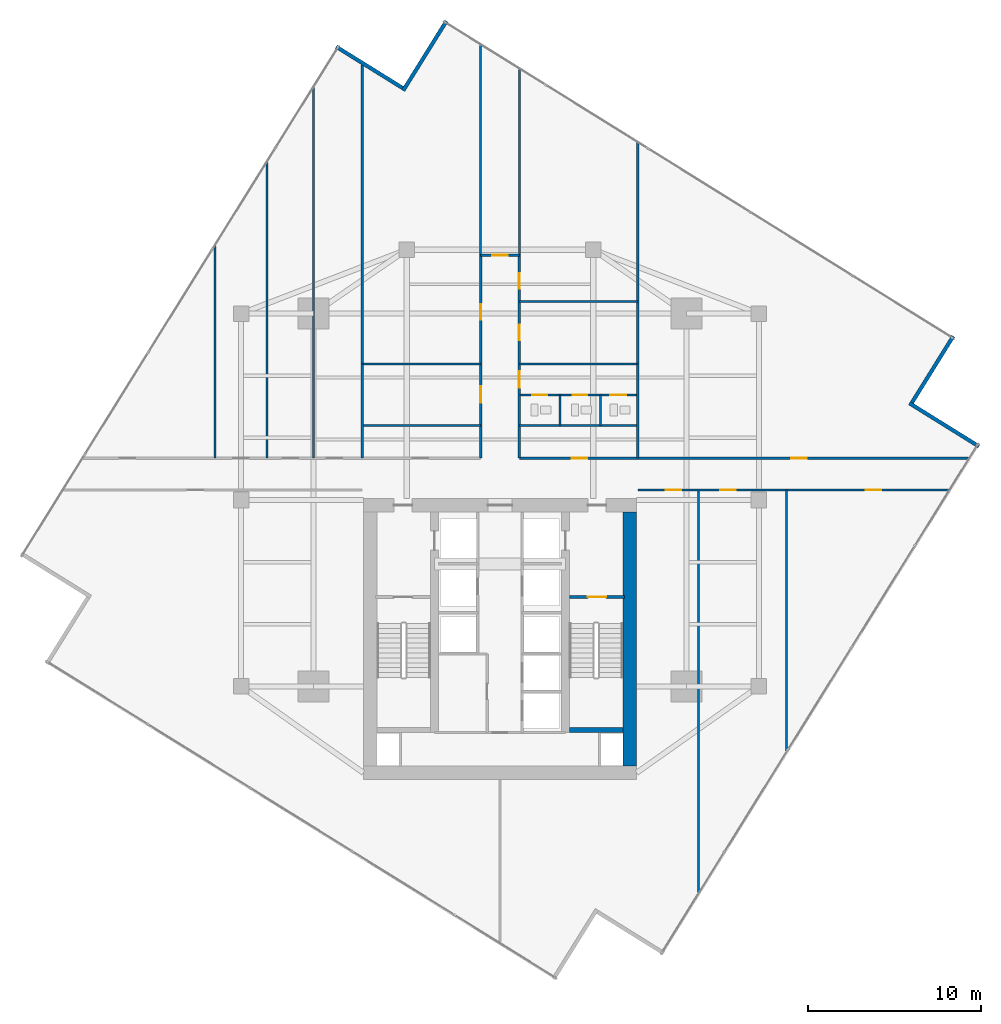
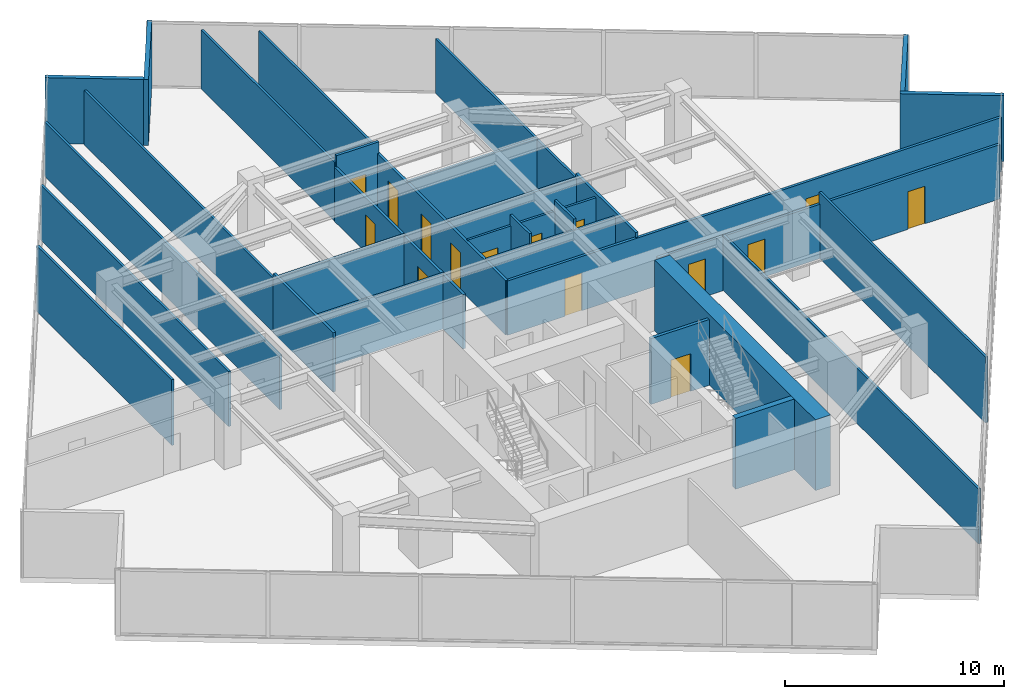
# One storey, part 22 of 25: 31 walls, 15 doors, 15 openings.
"""IFC4 building model written with IfcOpenShell, lengths in metres."""

from ifc_helpers import new_model, si_unit, direction, frame, frame_2d, origin, place, context, subcontext, project, spatial, rectangle, extrude, material, layer, layer_set, type_object, element, fill, save


model = new_model("IFC4")

# Units and contexts
model_context = context("Model", 3, precision=1e-05, world=origin(), true_north=direction((0.0, 1.0)))
body_context = subcontext(model_context, "Body", "Model", "MODEL_VIEW")
ifc_project = project(units=[si_unit("LENGTHUNIT", "METRE"), si_unit("AREAUNIT", "SQUARE_METRE"), si_unit("VOLUMEUNIT", "CUBIC_METRE"), si_unit("PLANEANGLEUNIT", "RADIAN"), si_unit("MASSUNIT", "GRAM", prefix="KILO")], contexts=[model_context])

# Site, building, storey
site_placement = place(None, origin())
site = spatial("IfcSite", under=ifc_project, at=site_placement, CompositionType="ELEMENT")
building_placement = place(site_placement, origin())
building = spatial("IfcBuilding", under=site, at=building_placement, Name="Krantzveldt Concourse Tower", CompositionType="ELEMENT")
storey_placement = place(building_placement, frame((0.0, 0.0, 177.800048828125)))
storey = spatial("IfcBuildingStorey", under=building, at=storey_placement, Name="L43", CompositionType="ELEMENT", Elevation=177.800048828125)

# Walls
ifc_material_1 = material(Name="Anodised aluminium 6063-T6", Category="aluminium")
ifc_layer_1 = layer(ifc_material_1, 0.219970703125, Name="Anodised aluminium 6063-T6", Category="aluminium")
ifc_layer_set_1 = layer_set([ifc_layer_1], Name="Anodised aluminium 6063-T6 (WL-EXT-NOTCH220)")
wall_type_1 = type_object("IfcWallType", Name="WL-EXT-NOTCH220", PredefinedType="ELEMENTEDWALL", material=ifc_layer_set_1)
wall_1_placement = place(storey_placement, frame((30.354248046875, 50.571044921875, 0.0), z_axis=(0.0, 0.0, 1.0), x_axis=(-0.849196398465, 0.528077150456, 0.0)))
element("IfcWall", 1, at=wall_1_placement, inside=storey, type_object=wall_type_1, Name="EW-L43-NCH00", PredefinedType="ELEMENTEDWALL", context=body_context, shape_type="SweptSolid", body=[
    extrude(rectangle(XDim=4.525146484375, YDim=0.219970703125, at=frame_2d((2.2626953125, 0.0))), origin(), (0.0, 0.0, 1.0), 3.669921875),
])
wall_2_placement = place(storey_placement, frame((63.7490234375, 29.804931640625, 0.0), z_axis=(0.0, 0.0, 1.0), x_axis=(-0.84921299194, 0.528050465694, 0.0)))
element("IfcWall", 2, at=wall_2_placement, inside=storey, type_object=wall_type_1, Name="EW-L43-NCH08", PredefinedType="ELEMENTEDWALL", context=body_context, shape_type="SweptSolid", body=[
    extrude(rectangle(XDim=4.7451171875, YDim=0.219970703125, at=frame_2d((2.37255859375, 0.0))), origin(), (0.0, 0.0, 1.0), 3.669921875),
])
wall_3_placement = place(storey_placement, frame((59.87109375, 32.345947265625, 0.0), z_axis=(0.0, 0.0, 1.0), x_axis=(0.528062437074, 0.849205547881, 0.0)))
element("IfcWall", 3, at=wall_3_placement, inside=storey, type_object=wall_type_1, Name="EW-L43-NCH09", PredefinedType="ELEMENTEDWALL", context=body_context, shape_type="SweptSolid", body=[
    extrude(rectangle(XDim=4.52490234375, YDim=0.219970703125, at=frame_2d((2.262451171875, 0.0))), origin(), (0.0, 0.0, 1.0), 3.669921875),
])
wall_4_placement = place(storey_placement, frame((32.895263671875, 54.448974609375, 0.0), z_axis=(0.0, 0.0, 1.0), x_axis=(-0.528110642948, -0.849175570071, 0.0)))
element("IfcWall", 4, at=wall_4_placement, inside=storey, type_object=wall_type_1, Name="EW-L43-NCH11", PredefinedType="ELEMENTEDWALL", context=body_context, shape_type="SweptSolid", body=[
    extrude(rectangle(XDim=4.744873046875, YDim=0.219970703125, at=frame_2d((2.37255859375, 0.0))), origin(), (0.0, 0.0, 1.0), 3.669921875),
])
ifc_material_2 = material(Name="Fire-rated gypsum plasterboard on steel stud", Category="steel")
ifc_layer_2 = layer(ifc_material_2, 0.1201171875, Name="Fire-rated gypsum plasterboard on steel stud", Category="steel")
ifc_layer_set_2 = layer_set([ifc_layer_2], Name="Fire-rated gypsum plasterboard on steel stud (WL-PART-120)")
wall_type_2 = type_object("IfcWallType", Name="WL-PART-120", PredefinedType="PARTITIONING", material=ifc_layer_set_2)
for number, where, z_axis, x_axis, name in (
    (5, (28.02001953125, 31.02001953125, 0.0), (0.0, 0.0, 1.0), (1.0, 0.0, 0.0), "WP-L43-ISML"),
    (6, (37.1201171875, 31.02001953125, 0.0), (0.0, 0.0, 1.0), (1.0, 0.0, 0.0), "WP-L43-ISMR"),
):
    element("IfcWall", number, at=place(storey_placement, frame(where, z_axis=z_axis, x_axis=x_axis)), inside=storey, type_object=wall_type_2, Name=name, PredefinedType="PARTITIONING", context=body_context, shape_type="SweptSolid", body=[
        extrude(rectangle(XDim=6.85986328125, YDim=0.1201171875, at=frame_2d((3.429931640625, 0.0))), origin(), (0.0, 0.0, 1.0), 3.079833984375),
    ])

# Wall, openings, doors
wall_5_placement = place(storey_placement, frame((37.14990234375, 32.780029296875, 0.0), z_axis=(0.0, 0.0, 1.0), x_axis=(1.0, 0.0, 0.0)))
wall_5 = element("IfcWall", 7, at=wall_5_placement, inside=storey, type_object=wall_type_2, Name="WP-L43-WCHDR", PredefinedType="PARTITIONING", context=body_context, shape_type="SweptSolid", body=[
    extrude(rectangle(XDim=6.800048828125, YDim=0.1201171875, at=frame_2d((3.39990234375, 0.0))), origin(), (0.0, 0.0, 1.0), 3.079833984375),
])
opening_1_placement = place(wall_5_placement, frame((0.72509765625, 0.0, 0.0)))
opening_1 = element("IfcOpeningElement", 8, at=opening_1_placement, cuts=wall_5, Name="Opening D-IN085", PredefinedType="OPENING", context=body_context, shape_type="SweptSolid", body=[
    extrude(rectangle(XDim=0.85009765625, YDim=2.10009765625, at=frame_2d((0.425048828125, 1.050048828125))), frame((0.0, 0.070068359375, 0.0), z_axis=(0.0, -1.0, 0.0), x_axis=(1.0, 0.0, 0.0)), (0.0, 0.0, 1.0), 0.14013671875),
])
opening_2_placement = place(wall_5_placement, frame((3.06494140625, 0.0, 0.0)))
opening_2 = element("IfcOpeningElement", 9, at=opening_2_placement, cuts=wall_5, Name="Opening D-IN085", PredefinedType="OPENING", context=body_context, shape_type="SweptSolid", body=[
    extrude(rectangle(XDim=0.85009765625, YDim=2.10009765625, at=frame_2d((0.425048828125, 1.050048828125))), frame((0.0, 0.070068359375, 0.0), z_axis=(0.0, -1.0, 0.0), x_axis=(1.0, 0.0, 0.0)), (0.0, 0.0, 1.0), 0.14013671875),
])
opening_3_placement = place(wall_5_placement, frame((5.25, 0.0, 0.0)))
opening_3 = element("IfcOpeningElement", 10, at=opening_3_placement, cuts=wall_5, Name="Opening D-IN090", PredefinedType="OPENING", context=body_context, shape_type="SweptSolid", body=[
    extrude(rectangle(XDim=0.89990234375, YDim=2.10009765625, at=frame_2d((0.449951171875, 1.050048828125))), frame((0.0, 0.070068359375, 0.0), z_axis=(0.0, -1.0, 0.0), x_axis=(1.0, 0.0, 0.0)), (0.0, 0.0, 1.0), 0.14013671875),
])
ifc_material_3 = material(Name="Hardwood timber", Category="wood")
door_type_1 = type_object("IfcDoorType", Name="DR-INT-850", OperationType="SINGLE_SWING_LEFT", PredefinedType="DOOR", material=ifc_material_3)
door_1_placement = place(opening_1_placement, origin())
door_1 = element("IfcDoor", 11, at=door_1_placement, inside=storey, type_object=door_type_1, Name="DR-L43-WCM", OperationType="SINGLE_SWING_LEFT", OverallHeight=2.10009765625, OverallWidth=0.85009765625, PredefinedType="DOOR", context=body_context, shape_type="SweptSolid", body=[
    extrude(rectangle(XDim=0.85009765625, YDim=2.10009765625, at=frame_2d((0.425048828125, 1.050048828125))), frame((0.0, 0.02490234375, 0.0), z_axis=(0.0, -1.0, 0.0), x_axis=(1.0, 0.0, 0.0)), (0.0, 0.0, 1.0), 0.050048828125),
])
fill(opening_1, door_1)
door_2_placement = place(opening_2_placement, origin())
door_2 = element("IfcDoor", 12, at=door_2_placement, inside=storey, type_object=door_type_1, Name="DR-L43-WCF", OperationType="SINGLE_SWING_RIGHT", OverallHeight=2.10009765625, OverallWidth=0.85009765625, PredefinedType="DOOR", context=body_context, shape_type="SweptSolid", body=[
    extrude(rectangle(XDim=0.85009765625, YDim=2.10009765625, at=frame_2d((0.425048828125, 1.050048828125))), frame((0.0, 0.02490234375, 0.0), z_axis=(0.0, -1.0, 0.0), x_axis=(1.0, 0.0, 0.0)), (0.0, 0.0, 1.0), 0.050048828125),
])
fill(opening_2, door_2)
door_type_2 = type_object("IfcDoorType", Name="DR-INT-900", OperationType="SINGLE_SWING_LEFT", PredefinedType="DOOR", material=ifc_material_3)
door_3_placement = place(opening_3_placement, origin())
door_3 = element("IfcDoor", 13, at=door_3_placement, inside=storey, type_object=door_type_2, Name="DR-L43-WCA", OperationType="SINGLE_SWING_LEFT", OverallHeight=2.10009765625, OverallWidth=0.89990234375, PredefinedType="DOOR", context=body_context, shape_type="SweptSolid", body=[
    extrude(rectangle(XDim=0.89990234375, YDim=2.10009765625, at=frame_2d((0.449951171875, 1.050048828125))), frame((0.0, 0.02490234375, 0.0), z_axis=(0.0, -1.0, 0.0), x_axis=(1.0, 0.0, 0.0)), (0.0, 0.0, 1.0), 0.050048828125),
])
fill(opening_3, door_3)

# Walls
for number, where, z_axis, x_axis, name in (
    (14, (39.469970703125, 31.02001953125, 0.0), (0.0, 0.0, 1.0), (0.0, 1.0, 0.0), "WP-L43-WCD1"),
    (15, (41.81005859375, 31.02001953125, 0.0), (0.0, 0.0, 1.0), (0.0, 1.0, 0.0), "WP-L43-WCD2"),
):
    element("IfcWall", number, at=place(storey_placement, frame(where, z_axis=z_axis, x_axis=x_axis)), inside=storey, type_object=wall_type_2, Name=name, PredefinedType="PARTITIONING", context=body_context, shape_type="SweptSolid", body=[
        extrude(rectangle(XDim=1.760009765625, YDim=0.1201171875, at=frame_2d((0.8798828125, 0.0))), origin(), (0.0, 0.0, 1.0), 3.669921875),
    ])
wall_6_placement = place(storey_placement, frame((34.8798828125, 40.8798828125, 0.0), z_axis=(0.0, 0.0, 1.0), x_axis=(0.0, 1.0, 0.0)))
element("IfcWall", 16, at=wall_6_placement, inside=storey, type_object=wall_type_2, Name="WP-L43-NTL", PredefinedType="PARTITIONING", context=body_context, shape_type="SweptSolid", body=[
    extrude(rectangle(XDim=12.199462890625, YDim=0.1201171875, at=frame_2d((6.099609375, 0.0))), origin(), (0.0, 0.0, 1.0), 3.280029296875),
])
wall_7_placement = place(storey_placement, frame((37.1201171875, 40.8798828125, 0.0), z_axis=(0.0, 0.0, 1.0), x_axis=(0.0, 1.0, 0.0)))
element("IfcWall", 17, at=wall_7_placement, inside=storey, type_object=wall_type_2, Name="WP-L43-NTR", PredefinedType="PARTITIONING", context=body_context, shape_type="SweptSolid", body=[
    extrude(rectangle(XDim=10.806640625, YDim=0.1201171875, at=frame_2d((5.4033203125, 0.0))), origin(), (0.0, 0.0, 1.0), 3.280029296875),
])
wall_8_placement = place(storey_placement, frame((19.5, 29.1201171875, 0.0), z_axis=(0.0, 0.0, 1.0), x_axis=(0.0, 1.0, 0.0)))
element("IfcWall", 18, at=wall_8_placement, inside=storey, type_object=wall_type_2, Name="WP-L43-NWX1", PredefinedType="PARTITIONING", context=body_context, shape_type="SweptSolid", body=[
    extrude(rectangle(XDim=12.34716796875, YDim=0.1201171875, at=frame_2d((6.173583984375, 0.0))), origin(), (0.0, 0.0, 1.0), 3.669921875),
])
wall_9_placement = place(storey_placement, frame((22.5, 29.1201171875, 0.0), z_axis=(0.0, 0.0, 1.0), x_axis=(0.0, 1.0, 0.0)))
element("IfcWall", 19, at=wall_9_placement, inside=storey, type_object=wall_type_2, Name="WP-L43-NWX2", PredefinedType="PARTITIONING", context=body_context, shape_type="SweptSolid", body=[
    extrude(rectangle(XDim=17.171630859375, YDim=0.1201171875, at=frame_2d((8.5859375, 0.0))), origin(), (0.0, 0.0, 1.0), 3.079833984375),
])
wall_10_placement = place(storey_placement, frame((25.199951171875, 29.1201171875, 0.0), z_axis=(0.0, 0.0, 1.0), x_axis=(0.0, 1.0, 0.0)))
element("IfcWall", 20, at=wall_10_placement, inside=storey, type_object=wall_type_2, Name="WP-L43-NWX3", PredefinedType="PARTITIONING", context=body_context, shape_type="SweptSolid", body=[
    extrude(rectangle(XDim=21.513671875, YDim=0.1201171875, at=frame_2d((10.7568359375, 0.0))), origin(), (0.0, 0.0, 1.0), 3.030029296875),
])
wall_11_placement = place(storey_placement, frame((28.02001953125, 34.580078125, 0.0), z_axis=(0.0, 0.0, 1.0), x_axis=(0.0, 1.0, 0.0)))
element("IfcWall", 21, at=wall_11_placement, inside=storey, type_object=wall_type_2, Name="WP-L43-ISWL2", PredefinedType="PARTITIONING", context=body_context, shape_type="SweptSolid", body=[
    extrude(rectangle(XDim=17.30712890625, YDim=0.1201171875, at=frame_2d((8.653564453125, 0.0))), origin(), (0.0, 0.0, 1.0), 3.030029296875),
])
wall_12_placement = place(storey_placement, frame((43.97998046875, 34.580078125, 0.0), z_axis=(0.0, 0.0, 1.0), x_axis=(0.0, 1.0, 0.0)))
element("IfcWall", 22, at=wall_12_placement, inside=storey, type_object=wall_type_2, Name="WP-L43-ISER2", PredefinedType="PARTITIONING", context=body_context, shape_type="SweptSolid", body=[
    extrude(rectangle(XDim=12.840576171875, YDim=0.1201171875, at=frame_2d((6.42041015625, 0.0))), origin(), (0.0, 0.0, 1.0), 3.030029296875),
])
wall_13_placement = place(storey_placement, frame((37.1201171875, 38.199951171875, 0.0), z_axis=(0.0, 0.0, 1.0), x_axis=(1.0, 0.0, 0.0)))
element("IfcWall", 23, at=wall_13_placement, inside=storey, type_object=wall_type_2, Name="WP-L43-NEIY", PredefinedType="PARTITIONING", context=body_context, shape_type="SweptSolid", body=[
    extrude(rectangle(XDim=6.85986328125, YDim=0.1201171875, at=frame_2d((3.429931640625, 0.0))), origin(), (0.0, 0.0, 1.0), 3.079833984375),
])
wall_14_placement = place(storey_placement, frame((47.5, 3.89208984375, 0.0), z_axis=(0.0, 0.0, 1.0), x_axis=(0.0, 1.0, 0.0)))
element("IfcWall", 24, at=wall_14_placement, inside=storey, type_object=wall_type_2, Name="WP-L43-SEX1", PredefinedType="PARTITIONING", context=body_context, shape_type="SweptSolid", body=[
    extrude(rectangle(XDim=23.387939453125, YDim=0.1201171875, at=frame_2d((11.69384765625, 0.0))), origin(), (0.0, 0.0, 1.0), 3.079833984375),
])
wall_15_placement = place(storey_placement, frame((52.60009765625, 12.093505859375, 0.0), z_axis=(0.0, 0.0, 1.0), x_axis=(0.0, 1.0, 0.0)))
element("IfcWall", 25, at=wall_15_placement, inside=storey, type_object=wall_type_2, Name="WP-L43-SEX2", PredefinedType="PARTITIONING", context=body_context, shape_type="SweptSolid", body=[
    extrude(rectangle(XDim=15.1865234375, YDim=0.1201171875, at=frame_2d((7.59326171875, 0.0))), origin(), (0.0, 0.0, 1.0), 3.669921875),
])

# Wall, openings, doors
ifc_layer_3 = layer(ifc_material_2, 0.139892578125, Name="Fire-rated gypsum plasterboard on steel stud", Category="steel")
ifc_layer_set_3 = layer_set([ifc_layer_3], Name="Fire-rated gypsum plasterboard on steel stud (WL-PART-140)")
wall_type_3 = type_object("IfcWallType", Name="WL-PART-140", PredefinedType="PARTITIONING", material=ifc_layer_set_3)
wall_16_placement = place(storey_placement, frame((34.8798828125, 29.1201171875, 0.0), z_axis=(0.0, 0.0, 1.0), x_axis=(0.0, 1.0, 0.0)))
wall_16 = element("IfcWall", 26, at=wall_16_placement, inside=storey, type_object=wall_type_3, Name="WP-L43-SPWL", PredefinedType="PARTITIONING", context=body_context, shape_type="SweptSolid", body=[
    extrude(rectangle(XDim=11.759765625, YDim=0.139892578125, at=frame_2d((5.8798828125, 0.0))), origin(), (0.0, 0.0, 1.0), 3.030029296875),
])
opening_4_placement = place(wall_16_placement, frame((3.205078125, 0.0, 0.0)))
opening_4 = element("IfcOpeningElement", 27, at=opening_4_placement, cuts=wall_16, Name="Opening D-IN095", PredefinedType="OPENING", context=body_context, shape_type="SweptSolid", body=[
    extrude(rectangle(XDim=0.949951171875, YDim=2.10009765625, at=frame_2d((0.47509765625, 1.050048828125))), frame((0.0, 0.080078125, 0.0), z_axis=(0.0, -1.0, 0.0), x_axis=(1.0, 0.0, 0.0)), (0.0, 0.0, 1.0), 0.159912109375),
])
opening_5_placement = place(wall_16_placement, frame((8.02001953125, 0.0, 0.0)))
opening_5 = element("IfcOpeningElement", 28, at=opening_5_placement, cuts=wall_16, Name="Opening D-IN090", PredefinedType="OPENING", context=body_context, shape_type="SweptSolid", body=[
    extrude(rectangle(XDim=0.89990234375, YDim=2.10009765625, at=frame_2d((0.449951171875, 1.050048828125))), frame((0.0, 0.080078125, 0.0), z_axis=(0.0, -1.0, 0.0), x_axis=(1.0, 0.0, 0.0)), (0.0, 0.0, 1.0), 0.159912109375),
])
door_4_placement = place(opening_5_placement, origin())
door_4 = element("IfcDoor", 29, at=door_4_placement, inside=storey, type_object=door_type_2, Name="DR-L43-NWI1", OperationType="SINGLE_SWING_LEFT", OverallHeight=2.10009765625, OverallWidth=0.89990234375, PredefinedType="DOOR", context=body_context, shape_type="SweptSolid", body=[
    extrude(rectangle(XDim=0.89990234375, YDim=2.10009765625, at=frame_2d((0.449951171875, 1.050048828125))), frame((0.0, 0.02490234375, 0.0), z_axis=(0.0, -1.0, 0.0), x_axis=(1.0, 0.0, 0.0)), (0.0, 0.0, 1.0), 0.050048828125),
])
fill(opening_5, door_4)
door_type_3 = type_object("IfcDoorType", Name="DR-INT-950", OperationType="SINGLE_SWING_LEFT", PredefinedType="DOOR", material=ifc_material_3)
door_5_placement = place(opening_4_placement, origin())
door_5 = element("IfcDoor", 30, at=door_5_placement, inside=storey, type_object=door_type_3, Name="DR-L43-PNT", OperationType="SINGLE_SWING_RIGHT", OverallHeight=2.10009765625, OverallWidth=0.949951171875, PredefinedType="DOOR", context=body_context, shape_type="SweptSolid", body=[
    extrude(rectangle(XDim=0.949951171875, YDim=2.10009765625, at=frame_2d((0.47509765625, 1.050048828125))), frame((0.0, 0.02490234375, 0.0), z_axis=(0.0, -1.0, 0.0), x_axis=(1.0, 0.0, 0.0)), (0.0, 0.0, 1.0), 0.050048828125),
])
fill(opening_4, door_5)

wall_17_placement = place(storey_placement, frame((37.1201171875, 29.1201171875, 0.0), z_axis=(0.0, 0.0, 1.0), x_axis=(0.0, 1.0, 0.0)))
wall_17 = element("IfcWall", 31, at=wall_17_placement, inside=storey, type_object=wall_type_3, Name="WP-L43-SPER", PredefinedType="PARTITIONING", context=body_context, shape_type="SweptSolid", body=[
    extrude(rectangle(XDim=11.759765625, YDim=0.139892578125, at=frame_2d((5.8798828125, 0.0))), origin(), (0.0, 0.0, 1.0), 3.030029296875),
])
opening_6_placement = place(wall_17_placement, frame((4.0849609375, 0.0, 0.0)))
opening_6 = element("IfcOpeningElement", 32, at=opening_6_placement, cuts=wall_17, Name="Opening D-IN095", PredefinedType="OPENING", context=body_context, shape_type="SweptSolid", body=[
    extrude(rectangle(XDim=0.949951171875, YDim=2.10009765625, at=frame_2d((0.47509765625, 1.050048828125))), frame((0.0, 0.080078125, 0.0), z_axis=(0.0, -1.0, 0.0), x_axis=(1.0, 0.0, 0.0)), (0.0, 0.0, 1.0), 0.159912109375),
])
opening_7_placement = place(wall_17_placement, frame((6.820068359375, 0.0, 0.0)))
opening_7 = element("IfcOpeningElement", 33, at=opening_7_placement, cuts=wall_17, Name="Opening D-IN090", PredefinedType="OPENING", context=body_context, shape_type="SweptSolid", body=[
    extrude(rectangle(XDim=0.89990234375, YDim=2.10009765625, at=frame_2d((0.449951171875, 1.050048828125))), frame((0.0, 0.080078125, 0.0), z_axis=(0.0, -1.0, 0.0), x_axis=(1.0, 0.0, 0.0)), (0.0, 0.0, 1.0), 0.159912109375),
])
opening_8_placement = place(wall_17_placement, frame((9.830078125, 0.0, 0.0)))
opening_8 = element("IfcOpeningElement", 34, at=opening_8_placement, cuts=wall_17, Name="Opening D-IN090", PredefinedType="OPENING", context=body_context, shape_type="SweptSolid", body=[
    extrude(rectangle(XDim=0.89990234375, YDim=2.10009765625, at=frame_2d((0.449951171875, 1.050048828125))), frame((0.0, 0.080078125, 0.0), z_axis=(0.0, -1.0, 0.0), x_axis=(1.0, 0.0, 0.0)), (0.0, 0.0, 1.0), 0.159912109375),
])
door_6_placement = place(opening_7_placement, origin())
door_6 = element("IfcDoor", 35, at=door_6_placement, inside=storey, type_object=door_type_2, Name="DR-L43-NEI1", OperationType="SINGLE_SWING_LEFT", OverallHeight=2.10009765625, OverallWidth=0.89990234375, PredefinedType="DOOR", context=body_context, shape_type="SweptSolid", body=[
    extrude(rectangle(XDim=0.89990234375, YDim=2.10009765625, at=frame_2d((0.449951171875, 1.050048828125))), frame((0.0, 0.02490234375, 0.0), z_axis=(0.0, -1.0, 0.0), x_axis=(1.0, 0.0, 0.0)), (0.0, 0.0, 1.0), 0.050048828125),
])
fill(opening_7, door_6)
door_7_placement = place(opening_8_placement, origin())
door_7 = element("IfcDoor", 36, at=door_7_placement, inside=storey, type_object=door_type_2, Name="DR-L43-NEI2", OperationType="SINGLE_SWING_LEFT", OverallHeight=2.10009765625, OverallWidth=0.89990234375, PredefinedType="DOOR", context=body_context, shape_type="SweptSolid", body=[
    extrude(rectangle(XDim=0.89990234375, YDim=2.10009765625, at=frame_2d((0.449951171875, 1.050048828125))), frame((0.0, 0.02490234375, 0.0), z_axis=(0.0, -1.0, 0.0), x_axis=(1.0, 0.0, 0.0)), (0.0, 0.0, 1.0), 0.050048828125),
])
fill(opening_8, door_7)
door_8_placement = place(opening_6_placement, origin())
door_8 = element("IfcDoor", 37, at=door_8_placement, inside=storey, type_object=door_type_3, Name="DR-L43-WCLB", OperationType="SINGLE_SWING_LEFT", OverallHeight=2.10009765625, OverallWidth=0.949951171875, PredefinedType="DOOR", context=body_context, shape_type="SweptSolid", body=[
    extrude(rectangle(XDim=0.949951171875, YDim=2.10009765625, at=frame_2d((0.47509765625, 1.050048828125))), frame((0.0, 0.02490234375, 0.0), z_axis=(0.0, -1.0, 0.0), x_axis=(1.0, 0.0, 0.0)), (0.0, 0.0, 1.0), 0.050048828125),
])
fill(opening_6, door_8)

# Wall, opening, door
wall_18_placement = place(storey_placement, frame((34.8798828125, 40.8798828125, 0.0), z_axis=(0.0, 0.0, 1.0), x_axis=(1.0, 0.0, 0.0)))
wall_18 = element("IfcWall", 38, at=wall_18_placement, inside=storey, type_object=wall_type_3, Name="WP-L43-SPTOP", PredefinedType="PARTITIONING", context=body_context, shape_type="SweptSolid", body=[
    extrude(rectangle(XDim=2.240234375, YDim=0.139892578125, at=frame_2d((1.1201171875, 0.0))), origin(), (0.0, 0.0, 1.0), 3.669921875),
])
opening_9_placement = place(wall_18_placement, frame((0.669921875, 0.0, 0.0)))
opening_9 = element("IfcOpeningElement", 39, at=opening_9_placement, cuts=wall_18, Name="Opening D-IN090", PredefinedType="OPENING", context=body_context, shape_type="SweptSolid", body=[
    extrude(rectangle(XDim=0.89990234375, YDim=2.10009765625, at=frame_2d((0.449951171875, 1.050048828125))), frame((0.0, 0.080078125, 0.0), z_axis=(0.0, -1.0, 0.0), x_axis=(1.0, 0.0, 0.0)), (0.0, 0.0, 1.0), 0.159912109375),
])
door_9_placement = place(opening_9_placement, origin())
door_9 = element("IfcDoor", 40, at=door_9_placement, inside=storey, type_object=door_type_2, Name="DR-L43-NTOP", OperationType="SINGLE_SWING_LEFT", OverallHeight=2.10009765625, OverallWidth=0.89990234375, PredefinedType="DOOR", context=body_context, shape_type="SweptSolid", body=[
    extrude(rectangle(XDim=0.89990234375, YDim=2.10009765625, at=frame_2d((0.449951171875, 1.050048828125))), frame((0.0, 0.02490234375, 0.0), z_axis=(0.0, -1.0, 0.0), x_axis=(1.0, 0.0, 0.0)), (0.0, 0.0, 1.0), 0.050048828125),
])
fill(opening_9, door_9)

# Wall, openings, doors
wall_19_placement = place(storey_placement, frame((37.1201171875, 29.1201171875, 0.0), z_axis=(0.0, 0.0, 1.0), x_axis=(1.0, 0.0, 0.0)))
wall_19 = element("IfcWall", 41, at=wall_19_placement, inside=storey, type_object=wall_type_3, Name="WP-L43-EWNR", PredefinedType="PARTITIONING", context=body_context, shape_type="SweptSolid", body=[
    extrude(rectangle(XDim=26.067626953125, YDim=0.139892578125, at=frame_2d((13.03369140625, 0.0))), origin(), (0.0, 0.0, 1.0), 3.030029296875),
])
opening_10_placement = place(wall_19_placement, frame((3.030029296875, 0.0, 0.0)))
opening_10 = element("IfcOpeningElement", 42, at=opening_10_placement, cuts=wall_19, Name="Opening D-IN090", PredefinedType="OPENING", context=body_context, shape_type="SweptSolid", body=[
    extrude(rectangle(XDim=0.89990234375, YDim=2.10009765625, at=frame_2d((0.449951171875, 1.050048828125))), frame((0.0, 0.080078125, 0.0), z_axis=(0.0, -1.0, 0.0), x_axis=(1.0, 0.0, 0.0)), (0.0, 0.0, 1.0), 0.159912109375),
])
opening_11_placement = place(wall_19_placement, frame((15.760986328125, 0.0, 0.0)))
opening_11 = element("IfcOpeningElement", 43, at=opening_11_placement, cuts=wall_19, Name="Opening D-IN090", PredefinedType="OPENING", context=body_context, shape_type="SweptSolid", body=[
    extrude(rectangle(XDim=0.89990234375, YDim=2.10009765625, at=frame_2d((0.449951171875, 1.050048828125))), frame((0.0, 0.080078125, 0.0), z_axis=(0.0, -1.0, 0.0), x_axis=(1.0, 0.0, 0.0)), (0.0, 0.0, 1.0), 0.159912109375),
])
door_10_placement = place(opening_10_placement, origin())
door_10 = element("IfcDoor", 44, at=door_10_placement, inside=storey, type_object=door_type_2, Name="DR-L43-ALCR", OperationType="SINGLE_SWING_RIGHT", OverallHeight=2.10009765625, OverallWidth=0.89990234375, PredefinedType="DOOR", context=body_context, shape_type="SweptSolid", body=[
    extrude(rectangle(XDim=0.89990234375, YDim=2.10009765625, at=frame_2d((0.449951171875, 1.050048828125))), frame((0.0, 0.02490234375, 0.0), z_axis=(0.0, -1.0, 0.0), x_axis=(1.0, 0.0, 0.0)), (0.0, 0.0, 1.0), 0.050048828125),
])
fill(opening_10, door_10)
door_11_placement = place(opening_11_placement, origin())
door_11 = element("IfcDoor", 45, at=door_11_placement, inside=storey, type_object=door_type_2, Name="DR-L43-NEX1", OperationType="SINGLE_SWING_RIGHT", OverallHeight=2.10009765625, OverallWidth=0.89990234375, PredefinedType="DOOR", context=body_context, shape_type="SweptSolid", body=[
    extrude(rectangle(XDim=0.89990234375, YDim=2.10009765625, at=frame_2d((0.449951171875, 1.050048828125))), frame((0.0, 0.02490234375, 0.0), z_axis=(0.0, -1.0, 0.0), x_axis=(1.0, 0.0, 0.0)), (0.0, 0.0, 1.0), 0.050048828125),
])
fill(opening_11, door_11)

wall_20_placement = place(storey_placement, frame((44.0, 27.280029296875, 0.0), z_axis=(0.0, 0.0, 1.0), x_axis=(1.0, 0.0, 0.0)))
wall_20 = element("IfcWall", 46, at=wall_20_placement, inside=storey, type_object=wall_type_3, Name="WP-L43-EWSR", PredefinedType="PARTITIONING", context=body_context, shape_type="SweptSolid", body=[
    extrude(rectangle(XDim=18.043701171875, YDim=0.139892578125, at=frame_2d((9.02197265625, 0.0))), origin(), (0.0, 0.0, 1.0), 3.030029296875),
])
opening_12_placement = place(wall_20_placement, frame((1.60009765625, 0.0, 0.0)))
opening_12 = element("IfcOpeningElement", 47, at=opening_12_placement, cuts=wall_20, Name="Opening D-IN090", PredefinedType="OPENING", context=body_context, shape_type="SweptSolid", body=[
    extrude(rectangle(XDim=0.89990234375, YDim=2.10009765625, at=frame_2d((0.449951171875, 1.050048828125))), frame((0.0, 0.080078125, 0.0), z_axis=(0.0, -1.0, 0.0), x_axis=(1.0, 0.0, 0.0)), (0.0, 0.0, 1.0), 0.159912109375),
])
opening_13_placement = place(wall_20_placement, frame((4.75, 0.0, 0.0)))
opening_13 = element("IfcOpeningElement", 48, at=opening_13_placement, cuts=wall_20, Name="Opening D-IN090", PredefinedType="OPENING", context=body_context, shape_type="SweptSolid", body=[
    extrude(rectangle(XDim=0.89990234375, YDim=2.10009765625, at=frame_2d((0.449951171875, 1.050048828125))), frame((0.0, 0.080078125, 0.0), z_axis=(0.0, -1.0, 0.0), x_axis=(1.0, 0.0, 0.0)), (0.0, 0.0, 1.0), 0.159912109375),
])
opening_14_placement = place(wall_20_placement, frame((13.19091796875, 0.0, 0.0)))
opening_14 = element("IfcOpeningElement", 49, at=opening_14_placement, cuts=wall_20, Name="Opening D-IN090", PredefinedType="OPENING", context=body_context, shape_type="SweptSolid", body=[
    extrude(rectangle(XDim=0.89990234375, YDim=2.10009765625, at=frame_2d((0.449951171875, 1.050048828125))), frame((0.0, 0.080078125, 0.0), z_axis=(0.0, -1.0, 0.0), x_axis=(1.0, 0.0, 0.0)), (0.0, 0.0, 1.0), 0.159912109375),
])
door_12_placement = place(opening_12_placement, origin())
door_12 = element("IfcDoor", 50, at=door_12_placement, inside=storey, type_object=door_type_2, Name="DR-L43-SEX1", OperationType="SINGLE_SWING_RIGHT", OverallHeight=2.10009765625, OverallWidth=0.89990234375, PredefinedType="DOOR", context=body_context, shape_type="SweptSolid", body=[
    extrude(rectangle(XDim=0.89990234375, YDim=2.10009765625, at=frame_2d((0.449951171875, 1.050048828125))), frame((0.0, 0.02490234375, 0.0), z_axis=(0.0, -1.0, 0.0), x_axis=(1.0, 0.0, 0.0)), (0.0, 0.0, 1.0), 0.050048828125),
])
fill(opening_12, door_12)
door_13_placement = place(opening_13_placement, origin())
door_13 = element("IfcDoor", 51, at=door_13_placement, inside=storey, type_object=door_type_2, Name="DR-L43-SEX2", OperationType="SINGLE_SWING_RIGHT", OverallHeight=2.10009765625, OverallWidth=0.89990234375, PredefinedType="DOOR", context=body_context, shape_type="SweptSolid", body=[
    extrude(rectangle(XDim=0.89990234375, YDim=2.10009765625, at=frame_2d((0.449951171875, 1.050048828125))), frame((0.0, 0.02490234375, 0.0), z_axis=(0.0, -1.0, 0.0), x_axis=(1.0, 0.0, 0.0)), (0.0, 0.0, 1.0), 0.050048828125),
])
fill(opening_13, door_13)
door_14_placement = place(opening_14_placement, origin())
door_14 = element("IfcDoor", 52, at=door_14_placement, inside=storey, type_object=door_type_2, Name="DR-L43-SEX3", OperationType="SINGLE_SWING_RIGHT", OverallHeight=2.10009765625, OverallWidth=0.89990234375, PredefinedType="DOOR", context=body_context, shape_type="SweptSolid", body=[
    extrude(rectangle(XDim=0.89990234375, YDim=2.10009765625, at=frame_2d((0.449951171875, 1.050048828125))), frame((0.0, 0.02490234375, 0.0), z_axis=(0.0, -1.0, 0.0), x_axis=(1.0, 0.0, 0.0)), (0.0, 0.0, 1.0), 0.050048828125),
])
fill(opening_14, door_14)

# Walls
for number, where, z_axis, x_axis, name in (
    (53, (28.02001953125, 34.580078125, 0.0), (0.0, 0.0, 1.0), (1.0, 0.0, 0.0), "WP-L43-ISNL"),
    (54, (37.1201171875, 34.580078125, 0.0), (0.0, 0.0, 1.0), (1.0, 0.0, 0.0), "WP-L43-ISNR"),
):
    element("IfcWall", number, at=place(storey_placement, frame(where, z_axis=z_axis, x_axis=x_axis)), inside=storey, type_object=wall_type_3, Name=name, PredefinedType="PARTITIONING", context=body_context, shape_type="SweptSolid", body=[
        extrude(rectangle(XDim=6.85986328125, YDim=0.139892578125, at=frame_2d((3.429931640625, 0.0))), origin(), (0.0, 0.0, 1.0), 3.079833984375),
    ])
for number, where, z_axis, x_axis, name in (
    (55, (28.02001953125, 29.1201171875, 0.0), (0.0, 0.0, 1.0), (0.0, 1.0, 0.0), "WP-L43-ISWL"),
    (56, (43.97998046875, 29.1201171875, 0.0), (0.0, 0.0, 1.0), (0.0, 1.0, 0.0), "WP-L43-ISER"),
):
    element("IfcWall", number, at=place(storey_placement, frame(where, z_axis=z_axis, x_axis=x_axis)), inside=storey, type_object=wall_type_3, Name=name, PredefinedType="PARTITIONING", context=body_context, shape_type="SweptSolid", body=[
        extrude(rectangle(XDim=5.4599609375, YDim=0.139892578125, at=frame_2d((2.72998046875, 0.0))), origin(), (0.0, 0.0, 1.0), 3.31005859375),
    ])

# Wall, opening, door
ifc_layer_4 = layer(ifc_material_2, 0.159912109375, Name="Fire-rated gypsum plasterboard on steel stud", Category="steel")
ifc_layer_set_4 = layer_set([ifc_layer_4], Name="Fire-rated gypsum plasterboard on steel stud (WL-PART-FR160)")
wall_type_4 = type_object("IfcWallType", Name="WL-PART-FR160", PredefinedType="PARTITIONING", material=ifc_layer_set_4)
wall_21_placement = place(storey_placement, frame((40.0400390625, 21.080078125, 0.0), z_axis=(0.0, 0.0, 1.0), x_axis=(1.0, 0.0, 0.0)))
wall_21 = element("IfcWall", 57, at=wall_21_placement, inside=storey, type_object=wall_type_4, Name="WP-L43-ST2", PredefinedType="PARTITIONING", context=body_context, shape_type="SweptSolid", body=[
    extrude(rectangle(XDim=3.159912109375, YDim=0.159912109375, at=frame_2d((1.580078125, 0.0))), origin(), (0.0, 0.0, 1.0), 3.669921875),
])
opening_15_placement = place(wall_21_placement, frame((1.054931640625, 0.0, 0.0)))
opening_15 = element("IfcOpeningElement", 58, at=opening_15_placement, cuts=wall_21, Name="Opening D-FD105", PredefinedType="OPENING", context=body_context, shape_type="SweptSolid", body=[
    extrude(rectangle(XDim=1.050048828125, YDim=2.10009765625, at=frame_2d((0.52490234375, 1.050048828125))), frame((0.0, 0.08984375, 0.0), z_axis=(0.0, -1.0, 0.0), x_axis=(1.0, 0.0, 0.0)), (0.0, 0.0, 1.0), 0.179931640625),
])
ifc_material_4 = material(Name="Galvanised steel", Category="steel")
door_type_4 = type_object("IfcDoorType", Name="DR-FD120-1050", OperationType="SINGLE_SWING_LEFT", PredefinedType="DOOR", material=ifc_material_4)
door_15_placement = place(opening_15_placement, origin())
door_15 = element("IfcDoor", 59, at=door_15_placement, inside=storey, type_object=door_type_4, Name="DR-L43-ST2", OperationType="SINGLE_SWING_LEFT", OverallHeight=2.10009765625, OverallWidth=1.050048828125, PredefinedType="DOOR", context=body_context, shape_type="SweptSolid", body=[
    extrude(rectangle(XDim=1.050048828125, YDim=2.10009765625, at=frame_2d((0.52490234375, 1.050048828125))), frame((0.0, 0.02490234375, 0.0), z_axis=(0.0, -1.0, 0.0), x_axis=(1.0, 0.0, 0.0)), (0.0, 0.0, 1.0), 0.050048828125),
])
fill(opening_15, door_15)

# Walls
ifc_material_5 = material(Name="Concrete C50/60", Category="concrete")
ifc_layer_5 = layer(ifc_material_5, 0.300048828125, Name="Concrete C50/60", Category="concrete")
ifc_layer_set_5 = layer_set([ifc_layer_5], Name="Concrete C50/60 (WL-SHEAR-300)")
wall_type_5 = type_object("IfcWallType", Name="WL-SHEAR-300", PredefinedType="SHEAR", material=ifc_layer_set_5)
wall_22_placement = place(storey_placement, frame((40.02001953125, 13.3701171875, 0.0), z_axis=(0.0, 0.0, 1.0), x_axis=(1.0, 0.0, 0.0)))
element("IfcWall", 60, at=wall_22_placement, inside=storey, type_object=wall_type_5, Name="CW-L43-ST2S", PredefinedType="SHEAR", context=body_context, shape_type="SweptSolid", body=[
    extrude(rectangle(XDim=3.10009765625, YDim=0.300048828125, at=frame_2d((1.550048828125, 0.0))), origin(), (0.0, 0.0, 1.0), 3.949951171875),
])
ifc_material_6 = material(Name="Concrete C60/75", Category="concrete")
ifc_layer_6 = layer(ifc_material_6, 0.800048828125, Name="Concrete C60/75", Category="concrete")
ifc_layer_set_6 = layer_set([ifc_layer_6], Name="Concrete C60/75 (WL-SHEAR-800)")
wall_type_6 = type_object("IfcWallType", Name="WL-SHEAR-800", PredefinedType="SHEAR", material=ifc_layer_set_6)
wall_23_placement = place(storey_placement, frame((43.52001953125, 11.300048828125, 0.0), z_axis=(0.0, 0.0, 1.0), x_axis=(0.0, 1.0, 0.0)))
element("IfcWall", 61, at=wall_23_placement, inside=storey, type_object=wall_type_6, Name="CW-L43-E", PredefinedType="SHEAR", context=body_context, shape_type="SweptSolid", body=[
    extrude(rectangle(XDim=14.699951171875, YDim=0.800048828125, at=frame_2d((7.35009765625, 0.0))), origin(), (0.0, 0.0, 1.0), 3.949951171875),
])

save(model, "model.ifc")
